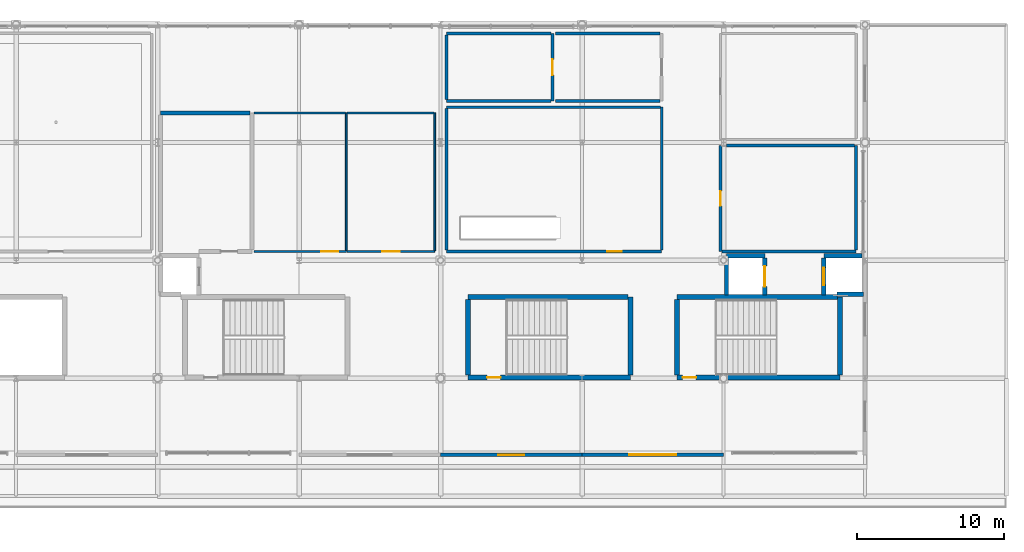
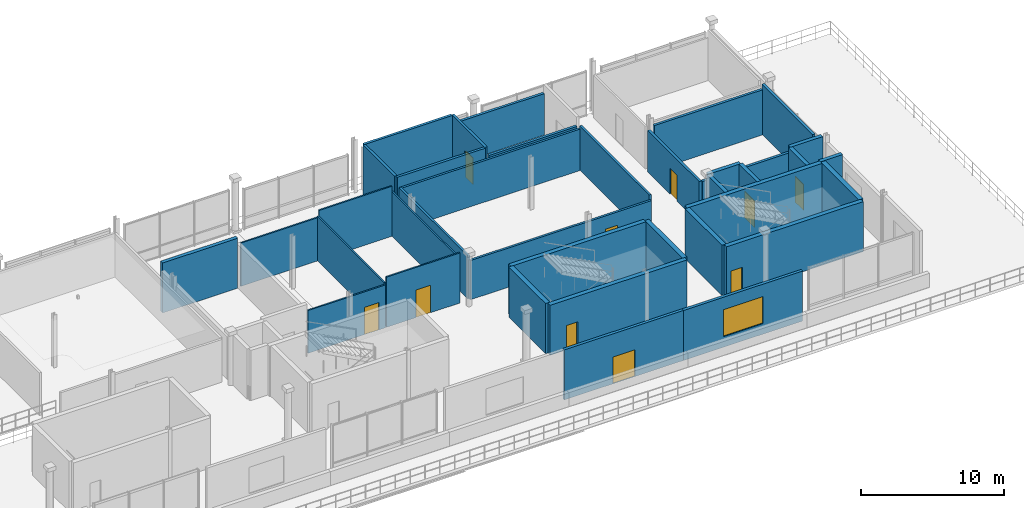
# One storey, part 17 of 26: 37 walls, 10 doors, 1 window, 11 openings.
"""IFC4 building model written with IfcOpenShell, lengths in metres."""

import ifcopenshell
import ifcopenshell.guid

model = None  # the IFC model being written
_history = None  # IfcOwnerHistory: only IFC2X3 demands one
_inside = {}  # id of a spatial element -> (the spatial element, [elements in it])
_under = {}  # id of a project, library or spatial element -> (it, [spatial elements below it])
_declared = {}  # id of a project -> (the project, [libraries it declares])
_typed = {}  # id of a type object -> (the type object, [elements of that type])
_made_of = {}  # id of a material, layer set ... -> (it, [elements and type objects made of it])


def new_model(schema):
    """Start an empty IFC model of exactly this schema.

    Asked for "IFC4X3", IfcOpenShell would pick the latest addendum, in which some entities
    have other attributes; the version numbers below select the first issue.
    IFC2X3 requires an IfcOwnerHistory on every rooted entity: one is made here for all.
    """
    global model, _history
    if schema == "IFC4X3":
        model = ifcopenshell.file(schema_version=(4, 3, 0, 0))
    else:
        model = ifcopenshell.file(schema=schema)
    _inside.clear()
    _under.clear()
    _declared.clear()
    _typed.clear()
    _made_of.clear()
    _history = None
    if model.schema == "IFC2X3":
        org = make("IfcOrganization", Name="unknown")
        user = make(
            "IfcPersonAndOrganization",
            ThePerson=make("IfcPerson", FamilyName="unknown"),
            TheOrganization=org,
        )
        app = make(
            "IfcApplication",
            ApplicationDeveloper=org,
            Version="unknown",
            ApplicationFullName="unknown",
            ApplicationIdentifier="unknown",
        )
        _history = make(
            "IfcOwnerHistory",
            OwningUser=user,
            OwningApplication=app,
            ChangeAction="ADDED",
            CreationDate=0,
        )
    return model


def make(cls, **values):
    """One entity of the class cls with the attributes given. An attribute that is None is left unset."""
    return model.create_entity(
        cls, **{name: value for name, value in values.items() if value is not None}
    )


def rooted(cls, **values):
    """An entity with a GlobalId (a new one), such as an element, a storey or a relation."""
    return make(cls, GlobalId=ifcopenshell.guid.new(), OwnerHistory=_history, **values)


def si_unit(unit_type, name, prefix=None):
    """IfcSIUnit, for example si_unit("LENGTHUNIT", "METRE", prefix="MILLI")."""
    return make("IfcSIUnit", UnitType=unit_type, Prefix=prefix, Name=name)


def assignment(units):
    """IfcUnitAssignment: the units of a project."""
    return None if units is None else make("IfcUnitAssignment", Units=units)


def point(xyz):
    """IfcCartesianPoint."""
    return None if xyz is None else make("IfcCartesianPoint", Coordinates=xyz)


def direction(xyz):
    """IfcDirection."""
    return None if xyz is None else make("IfcDirection", DirectionRatios=xyz)


def frame(location, z_axis=None, x_axis=None):
    """IfcAxis2Placement3D, a coordinate frame: its origin and axes. An axis left out is left unset."""
    return make(
        "IfcAxis2Placement3D",
        Location=point(location),
        Axis=direction(z_axis),
        RefDirection=direction(x_axis),
    )


def frame_2d(location, x_axis=None):
    """IfcAxis2Placement2D, a coordinate frame in the plane: its origin and x axis."""
    return make(
        "IfcAxis2Placement2D", Location=point(location), RefDirection=direction(x_axis)
    )


def origin():
    """The frame at (0, 0, 0) with its axes left unset."""
    return frame((0.0, 0.0, 0.0))


def place(relative_to, where):
    """IfcLocalPlacement: puts the frame where relative to a parent placement (None: the world)."""
    return make(
        "IfcLocalPlacement", PlacementRelTo=relative_to, RelativePlacement=where
    )


def context(
    kind, dimensions, precision=None, world=None, true_north=None, identifier=None
):
    """IfcGeometricRepresentationContext, for example the 3D "Model" context."""
    return make(
        "IfcGeometricRepresentationContext",
        ContextIdentifier=identifier,
        ContextType=kind,
        CoordinateSpaceDimension=dimensions,
        Precision=precision,
        WorldCoordinateSystem=world,
        TrueNorth=true_north,
    )


def subcontext(parent, identifier, kind, view, scale=None):
    """IfcGeometricRepresentationSubContext, for example "Body" below "Model"."""
    return make(
        "IfcGeometricRepresentationSubContext",
        ContextIdentifier=identifier,
        ContextType=kind,
        ParentContext=parent,
        TargetScale=scale,
        TargetView=view,
    )


def project(units=None, contexts=None):
    """IfcProject with its units and contexts."""
    return rooted(
        "IfcProject",
        Name="project",
        RepresentationContexts=contexts,
        UnitsInContext=assignment(units),
    )


def spatial(cls, under=None, at=None, **own):
    """A site, building, storey or space (cls), placed at a placement, below another one or the project."""
    s = rooted(cls, ObjectPlacement=at, **own)
    if under is not None:
        _under.setdefault(under.id(), (under, []))[1].append(s)
    return s


def profile(cls, at=None, kind="AREA", **sizes):
    """A parametric profile (cls). Its sizes go by their IFC names, for example OverallWidth=200.0."""
    return make(cls, ProfileType=kind, Position=at, **sizes)


def rectangle(**sizes):
    """IfcRectangleProfileDef."""
    return profile("IfcRectangleProfileDef", **sizes)


def extrude(swept, where, along, depth):
    """IfcExtrudedAreaSolid: the profile swept, set in the frame where, extruded along a direction by depth."""
    return make(
        "IfcExtrudedAreaSolid",
        SweptArea=swept,
        Position=where,
        ExtrudedDirection=direction(along),
        Depth=depth,
    )


def shape(context_of_items, identifier, shape_type, items):
    """IfcShapeRepresentation: the items that make up one representation, for example the "Body"."""
    return make(
        "IfcShapeRepresentation",
        ContextOfItems=context_of_items,
        RepresentationIdentifier=identifier,
        RepresentationType=shape_type,
        Items=items,
    )


def material(Name=None, Category=None):
    """IfcMaterial."""
    return make("IfcMaterial", Name=Name, Category=Category)


def layer(
    of_material, thickness, ventilated=None, Name=None, Category=None, Priority=None
):
    """IfcMaterialLayer: one layer of a wall or slab, of a material (None: an air gap)."""
    return make(
        "IfcMaterialLayer",
        Material=of_material,
        LayerThickness=thickness,
        IsVentilated=ventilated,
        Name=Name,
        Category=Category,
        Priority=Priority,
    )


def layer_set(layers, Name=None):
    """IfcMaterialLayerSet."""
    return make("IfcMaterialLayerSet", MaterialLayers=layers, LayerSetName=Name)


def made_of(thing, what):
    """Note that an element or type object is made of a material, layer set ...; save() writes the relation."""
    if what is not None:
        _made_of.setdefault(what.id(), (what, []))[1].append(thing)
    return thing


def type_object(cls, material=None, **own):
    """A type object (cls), such as IfcWallType, which elements share."""
    return made_of(rooted(cls, **own), material)


def element(
    cls,
    number,
    at=None,
    inside=None,
    cuts=None,
    type_object=None,
    material=None,
    context=None,
    identifier="Body",
    shape_type=None,
    held_by="IfcProductDefinitionShape",
    body=None,
    shapes=None,
    **own,
):
    """One element of the class cls, such as IfcWall. Its Tag is "e" and its number.

    at: its placement. inside: the storey or other place that contains it. cuts: it is an
    opening in that element (IfcRelVoidsElement). A single representation is given by context,
    identifier, shape_type and body (its items); several are given by shapes. held_by: the class
    of the entity that holds the representations. save() writes the other relations.
    """
    e = rooted(cls, Tag="e%d" % number, ObjectPlacement=at, **own)
    if body is not None:
        shapes = [shape(context, identifier, shape_type, body)]
    if shapes is not None:
        e.Representation = make(held_by, Representations=shapes)
    if inside is not None:
        _inside.setdefault(inside.id(), (inside, []))[1].append(e)
    if cuts is not None:
        rooted(
            "IfcRelVoidsElement", RelatingBuildingElement=cuts, RelatedOpeningElement=e
        )
    if type_object is not None:
        _typed.setdefault(type_object.id(), (type_object, []))[1].append(e)
    return made_of(e, material)


def fill(opening, filler):
    """IfcRelFillsElement: the door or window that sits in an opening."""
    return rooted(
        "IfcRelFillsElement",
        RelatingOpeningElement=opening,
        RelatedBuildingElement=filler,
    )


def aggregate(whole, parts):
    """IfcRelAggregates: a whole, such as a stair, and the parts it consists of."""
    return rooted("IfcRelAggregates", RelatingObject=whole, RelatedObjects=parts)


def save(model, path):
    """Write the relations noted so far, then the file.

    IfcRelAggregates (storeys below a building ...), IfcRelContainedInSpatialStructure (elements
    in a storey), IfcRelDefinesByType, IfcRelAssociatesMaterial and IfcRelDeclares: one each for
    every whole, place, type object, material and project.
    """
    for whole, parts in _under.values():
        aggregate(whole, parts)
    for where, things in _inside.values():
        rooted(
            "IfcRelContainedInSpatialStructure",
            RelatedElements=things,
            RelatingStructure=where,
        )
    for kind, things in _typed.values():
        rooted("IfcRelDefinesByType", RelatedObjects=things, RelatingType=kind)
    for what, things in _made_of.values():
        rooted("IfcRelAssociatesMaterial", RelatedObjects=things, RelatingMaterial=what)
    for by, libraries in _declared.values():
        rooted("IfcRelDeclares", RelatingContext=by, RelatedDefinitions=libraries)
    model.write(path)


model = new_model("IFC4")

# Units and contexts
model_context = context("Model", 3, precision=1e-05, world=origin(), true_north=direction((0.0, 1.0)))
body_context = subcontext(model_context, "Body", "Model", "MODEL_VIEW")
ifc_project = project(units=[si_unit("LENGTHUNIT", "METRE"), si_unit("AREAUNIT", "SQUARE_METRE"), si_unit("VOLUMEUNIT", "CUBIC_METRE"), si_unit("PLANEANGLEUNIT", "RADIAN"), si_unit("MASSUNIT", "GRAM", prefix="KILO")], contexts=[model_context])

# Site, building, storey
site_placement = place(None, origin())
site = spatial("IfcSite", under=ifc_project, at=site_placement, CompositionType="ELEMENT")
building_placement = place(site_placement, origin())
building = spatial("IfcBuilding", under=site, at=building_placement, Name="Danafjord Basin Convention Centre", CompositionType="ELEMENT")
storey_placement = place(building_placement, frame((0.0, 0.0, 24.89990234375)))
storey = spatial("IfcBuildingStorey", under=building, at=storey_placement, Name="L05", CompositionType="ELEMENT", Elevation=24.89990234375)

# Wall
ifc_material_1 = material(Name="Concrete C40/50", Category="concrete")
ifc_layer_1 = layer(ifc_material_1, 0.300048828125)
ifc_layer_set_1 = layer_set([ifc_layer_1], Name="Concrete C40/50")
wall_type_1 = type_object("IfcWallType", Name="WALL-CW-CORE300", PredefinedType="SHEAR", material=ifc_layer_set_1)
wall_1_placement = place(storey_placement, frame((89.199951171875, 24.300048828125, 0.0), z_axis=(0.0, 0.0, 1.0), x_axis=(-1.0, 0.0, 0.0)))
element("IfcWall", 1, at=wall_1_placement, inside=storey, type_object=wall_type_1, Name="Lift LF-FF02 shaft shear wall", PredefinedType="SHEAR", context=body_context, shape_type="SweptSolid", body=[
    extrude(rectangle(XDim=2.599853515625, YDim=0.300048828125, at=frame_2d((1.2998046875, 0.0))), origin(), (0.0, 0.0, 1.0), 4.27001953125),
])

# Wall, opening, door
wall_2_placement = place(storey_placement, frame((89.199951171875, 21.6650390625, 0.0), z_axis=(0.0, 0.0, 1.0), x_axis=(0.0, 1.0, 0.0)))
wall_2 = element("IfcWall", 2, at=wall_2_placement, inside=storey, type_object=wall_type_1, Name="Lift LF-FF02 shaft shear wall", PredefinedType="SHEAR", context=body_context, shape_type="SweptSolid", body=[
    extrude(rectangle(XDim=2.5, YDim=0.300048828125, at=frame_2d((1.25, 0.0))), origin(), (0.0, 0.0, 1.0), 4.27001953125),
])
opening_1_placement = place(wall_2_placement, frame((0.550048828125, 0.0, 0.0)))
opening_1 = element("IfcOpeningElement", 3, at=opening_1_placement, cuts=wall_2, Name="Opening LD-F01", PredefinedType="OPENING", context=body_context, shape_type="SweptSolid", body=[
    extrude(rectangle(XDim=1.39990234375, YDim=2.260009765625, at=frame_2d((0.699951171875, 1.1298828125))), frame((0.0, 0.159912109375, 0.0), z_axis=(0.0, -1.0, 0.0), x_axis=(1.0, 0.0, 0.0)), (0.0, 0.0, 1.0), 0.320068359375),
])
ifc_material_2 = material(Name="Brushed stainless steel and acoustic laminated glass", Category="steel")
door_type_1 = type_object("IfcDoorType", Name="DOOR-LD-F01", OperationType="DOUBLE_DOOR_SLIDING", PredefinedType="DOOR", material=ifc_material_2)
door_1_placement = place(opening_1_placement, origin())
door_1 = element("IfcDoor", 4, at=door_1_placement, inside=storey, type_object=door_type_1, Name="Lift LF-FF02 L05 Landing Door", OperationType="DOUBLE_DOOR_SLIDING", OverallHeight=2.260009765625, OverallWidth=1.39990234375, PredefinedType="DOOR", context=body_context, shape_type="SweptSolid", body=[
    extrude(rectangle(XDim=1.39990234375, YDim=2.260009765625, at=frame_2d((0.699951171875, 1.1298828125))), frame((0.0, 0.02490234375, 0.0), z_axis=(0.0, -1.0, 0.0), x_axis=(1.0, 0.0, 0.0)), (0.0, 0.0, 1.0), 0.050048828125),
])
fill(opening_1, door_1)

# Walls
wall_3_placement = place(storey_placement, frame((86.60009765625, 24.1650390625, 0.0), z_axis=(0.0, 0.0, 1.0), x_axis=(0.0, -1.0, 0.0)))
element("IfcWall", 5, at=wall_3_placement, inside=storey, type_object=wall_type_1, Name="Lift LF-FF02 shaft shear wall", PredefinedType="SHEAR", context=body_context, shape_type="SweptSolid", body=[
    extrude(rectangle(XDim=2.5, YDim=0.300048828125, at=frame_2d((1.25, 0.0))), origin(), (0.0, 0.0, 1.0), 4.27001953125),
])
wall_4_placement = place(storey_placement, frame((95.800048828125, 24.300048828125, 0.0), z_axis=(0.0, 0.0, 1.0), x_axis=(-1.0, 0.0, 0.0)))
element("IfcWall", 6, at=wall_4_placement, inside=storey, type_object=wall_type_1, Name="Lift LF-P02 shaft shear wall", PredefinedType="SHEAR", context=body_context, shape_type="SweptSolid", body=[
    extrude(rectangle(XDim=2.60009765625, YDim=0.300048828125, at=frame_2d((1.300048828125, 0.0))), origin(), (0.0, 0.0, 1.0), 4.260009765625),
])
wall_5_placement = place(storey_placement, frame((94.110107421875, 21.699951171875, 0.0), z_axis=(0.0, 0.0, 1.0), x_axis=(1.0, 0.0, 0.0)))
element("IfcWall", 7, at=wall_5_placement, inside=storey, type_object=wall_type_1, Name="Lift LF-P02 shaft shear wall", PredefinedType="SHEAR", context=body_context, shape_type="SweptSolid", body=[
    extrude(rectangle(XDim=1.77978515625, YDim=0.300048828125, at=frame_2d((0.889892578125, 0.0))), origin(), (0.0, 0.0, 1.0), 4.27001953125),
])

# Wall, opening, door
wall_6_placement = place(storey_placement, frame((93.199951171875, 24.1650390625, 0.0), z_axis=(0.0, 0.0, 1.0), x_axis=(0.0, -1.0, 0.0)))
wall_6 = element("IfcWall", 8, at=wall_6_placement, inside=storey, type_object=wall_type_1, Name="Lift LF-P02 shaft shear wall", PredefinedType="SHEAR", context=body_context, shape_type="SweptSolid", body=[
    extrude(rectangle(XDim=2.5, YDim=0.300048828125, at=frame_2d((1.25, 0.0))), origin(), (0.0, 0.0, 1.0), 4.260009765625),
])
opening_2_placement = place(wall_6_placement, frame((0.64990234375, 0.0, 0.0)))
opening_2 = element("IfcOpeningElement", 9, at=opening_2_placement, cuts=wall_6, Name="Opening LD-P01", PredefinedType="OPENING", context=body_context, shape_type="SweptSolid", body=[
    extrude(rectangle(XDim=1.199951171875, YDim=2.199951171875, at=frame_2d((0.60009765625, 1.10009765625))), frame((0.0, 0.159912109375, 0.0), z_axis=(0.0, -1.0, 0.0), x_axis=(1.0, 0.0, 0.0)), (0.0, 0.0, 1.0), 0.320068359375),
])
door_type_2 = type_object("IfcDoorType", Name="DOOR-LD-P01", OperationType="DOUBLE_DOOR_SLIDING", PredefinedType="DOOR", material=ifc_material_2)
door_2_placement = place(opening_2_placement, origin())
door_2 = element("IfcDoor", 10, at=door_2_placement, inside=storey, type_object=door_type_2, Name="Lift LF-P02 L05 Landing Door", OperationType="DOUBLE_DOOR_SLIDING", OverallHeight=2.199951171875, OverallWidth=1.199951171875, PredefinedType="DOOR", context=body_context, shape_type="SweptSolid", body=[
    extrude(rectangle(XDim=1.199951171875, YDim=2.199951171875, at=frame_2d((0.60009765625, 1.10009765625))), frame((0.0, 0.02490234375, 0.0), z_axis=(0.0, -1.0, 0.0), x_axis=(1.0, 0.0, 0.0)), (0.0, 0.0, 1.0), 0.050048828125),
])
fill(opening_2, door_2)

ifc_material_3 = material(Name="Concrete C45/55", Category="concrete")
ifc_layer_2 = layer(ifc_material_3, 0.35009765625)
ifc_layer_set_2 = layer_set([ifc_layer_2], Name="Concrete C45/55")
wall_type_2 = type_object("IfcWallType", Name="WALL-CW-CORE350", PredefinedType="SHEAR", material=ifc_layer_set_2)
wall_7_placement = place(storey_placement, frame((83.25, 16.050048828125, 0.0), z_axis=(0.0, 0.0, 1.0), x_axis=(1.0, 0.0, 0.0)))
wall_7 = element("IfcWall", 11, at=wall_7_placement, inside=storey, type_object=wall_type_2, Name="Central Harbour Core Stair 1 core shear wall (south)", PredefinedType="SHEAR", context=body_context, shape_type="SweptSolid", body=[
    extrude(rectangle(XDim=11.0400390625, YDim=0.35009765625, at=frame_2d((5.52001953125, 0.0))), origin(), (0.0, 0.0, 1.0), 4.27001953125),
])
opening_3_placement = place(wall_7_placement, frame((0.3798828125, 0.0, 0.0)))
opening_3 = element("IfcOpeningElement", 12, at=opening_3_placement, cuts=wall_7, Name="Opening FD-S01", PredefinedType="OPENING", context=body_context, shape_type="SweptSolid", body=[
    extrude(rectangle(XDim=0.909912109375, YDim=2.080078125, at=frame_2d((0.455078125, 1.0400390625))), frame((0.0, 0.18505859375, 0.0), z_axis=(0.0, -1.0, 0.0), x_axis=(1.0, 0.0, 0.0)), (0.0, 0.0, 1.0), 0.3701171875),
])
ifc_material_4 = material(Name="Powder-coated steel and Nordic oak", Category="steel")
door_type_3 = type_object("IfcDoorType", Name="DOOR-FD-S01", OperationType="NOTDEFINED", PredefinedType="DOOR", material=ifc_material_4)
door_3_placement = place(opening_3_placement, origin())
door_3 = element("IfcDoor", 13, at=door_3_placement, inside=storey, type_object=door_type_3, Name="Central Harbour Core Stair 1 L05 Fire Exit Door", OperationType="SINGLE_SWING_LEFT", OverallHeight=2.080078125, OverallWidth=0.909912109375, PredefinedType="DOOR", context=body_context, shape_type="SweptSolid", body=[
    extrude(rectangle(XDim=0.909912109375, YDim=2.080078125, at=frame_2d((0.455078125, 1.0400390625))), frame((0.0, 0.02490234375, 0.0), z_axis=(0.0, -1.0, 0.0), x_axis=(1.0, 0.0, 0.0)), (0.0, 0.0, 1.0), 0.050048828125),
])
fill(opening_3, door_3)

# Walls
wall_8_placement = place(storey_placement, frame((94.2900390625, 16.2099609375, 0.0), z_axis=(0.0, 0.0, 1.0), x_axis=(0.0, 1.0, 0.0)))
element("IfcWall", 14, at=wall_8_placement, inside=storey, type_object=wall_type_2, Name="Central Harbour Core Stair 1 core shear wall (east)", PredefinedType="SHEAR", context=body_context, shape_type="SweptSolid", body=[
    extrude(rectangle(XDim=5.300048828125, YDim=0.35009765625, at=frame_2d((2.64990234375, 0.0))), origin(), (0.0, 0.0, 1.0), 4.27001953125),
])
wall_9_placement = place(storey_placement, frame((94.1298828125, 21.510009765625, 0.0), z_axis=(0.0, 0.0, 1.0), x_axis=(-1.0, 0.0, 0.0)))
element("IfcWall", 15, at=wall_9_placement, inside=storey, type_object=wall_type_2, Name="Central Harbour Core Stair 1 core shear wall (north)", PredefinedType="SHEAR", context=body_context, shape_type="SweptSolid", body=[
    extrude(rectangle(XDim=10.8798828125, YDim=0.35009765625, at=frame_2d((5.43994140625, 0.0))), origin(), (0.0, 0.0, 1.0), 4.27001953125),
])
wall_10_placement = place(storey_placement, frame((83.25, 21.35009765625, 0.0), z_axis=(0.0, 0.0, 1.0), x_axis=(0.0, -1.0, 0.0)))
element("IfcWall", 16, at=wall_10_placement, inside=storey, type_object=wall_type_2, Name="Central Harbour Core Stair 1 core shear wall (west)", PredefinedType="SHEAR", context=body_context, shape_type="SweptSolid", body=[
    extrude(rectangle(XDim=5.14013671875, YDim=0.35009765625, at=frame_2d((2.570068359375, 0.0))), origin(), (0.0, 0.0, 1.0), 4.27001953125),
])

# Wall, opening, door
wall_11_placement = place(storey_placement, frame((69.050048828125, 16.050048828125, 0.0), z_axis=(0.0, 0.0, 1.0), x_axis=(1.0, 0.0, 0.0)))
wall_11 = element("IfcWall", 17, at=wall_11_placement, inside=storey, type_object=wall_type_2, Name="Mid-Arc Escape Stair 2 core shear wall (south)", PredefinedType="SHEAR", context=body_context, shape_type="SweptSolid", body=[
    extrude(rectangle(XDim=11.0400390625, YDim=0.35009765625, at=frame_2d((5.52001953125, 0.0))), origin(), (0.0, 0.0, 1.0), 4.27001953125),
])
opening_4_placement = place(wall_11_placement, frame((1.31201171875, 0.0, 0.0)))
opening_4 = element("IfcOpeningElement", 18, at=opening_4_placement, cuts=wall_11, Name="Opening FD-S01", PredefinedType="OPENING", context=body_context, shape_type="SweptSolid", body=[
    extrude(rectangle(XDim=0.909912109375, YDim=2.080078125, at=frame_2d((0.455078125, 1.0400390625))), frame((0.0, 0.18505859375, 0.0), z_axis=(0.0, -1.0, 0.0), x_axis=(1.0, 0.0, 0.0)), (0.0, 0.0, 1.0), 0.3701171875),
])
door_4_placement = place(opening_4_placement, origin())
door_4 = element("IfcDoor", 19, at=door_4_placement, inside=storey, type_object=door_type_3, Name="Mid-Arc Escape Stair 2 L05 Fire Exit Door", OperationType="SINGLE_SWING_RIGHT", OverallHeight=2.080078125, OverallWidth=0.909912109375, PredefinedType="DOOR", context=body_context, shape_type="SweptSolid", body=[
    extrude(rectangle(XDim=0.909912109375, YDim=2.080078125, at=frame_2d((0.455078125, 1.0400390625))), frame((0.0, 0.02490234375, 0.0), z_axis=(0.0, -1.0, 0.0), x_axis=(1.0, 0.0, 0.0)), (0.0, 0.0, 1.0), 0.050048828125),
])
fill(opening_4, door_4)

# Walls
wall_12_placement = place(storey_placement, frame((80.090087890625, 16.2099609375, 0.0), z_axis=(0.0, 0.0, 1.0), x_axis=(0.0, 1.0, 0.0)))
element("IfcWall", 20, at=wall_12_placement, inside=storey, type_object=wall_type_2, Name="Mid-Arc Escape Stair 2 core shear wall (east)", PredefinedType="SHEAR", context=body_context, shape_type="SweptSolid", body=[
    extrude(rectangle(XDim=5.300048828125, YDim=0.35009765625, at=frame_2d((2.64990234375, 0.0))), origin(), (0.0, 0.0, 1.0), 4.27001953125),
])
wall_13_placement = place(storey_placement, frame((79.929931640625, 21.510009765625, 0.0), z_axis=(0.0, 0.0, 1.0), x_axis=(-1.0, 0.0, 0.0)))
element("IfcWall", 21, at=wall_13_placement, inside=storey, type_object=wall_type_2, Name="Mid-Arc Escape Stair 2 core shear wall (north)", PredefinedType="SHEAR", context=body_context, shape_type="SweptSolid", body=[
    extrude(rectangle(XDim=10.8798828125, YDim=0.35009765625, at=frame_2d((5.43994140625, 0.0))), origin(), (0.0, 0.0, 1.0), 4.27001953125),
])
wall_14_placement = place(storey_placement, frame((69.050048828125, 21.35009765625, 0.0), z_axis=(0.0, 0.0, 1.0), x_axis=(0.0, -1.0, 0.0)))
element("IfcWall", 22, at=wall_14_placement, inside=storey, type_object=wall_type_2, Name="Mid-Arc Escape Stair 2 core shear wall (west)", PredefinedType="SHEAR", context=body_context, shape_type="SweptSolid", body=[
    extrude(rectangle(XDim=5.14013671875, YDim=0.35009765625, at=frame_2d((2.570068359375, 0.0))), origin(), (0.0, 0.0, 1.0), 4.27001953125),
])

# Wall, opening, door
ifc_material_5 = material(Name="Concrete C35/45", Category="concrete")
ifc_layer_3 = layer(ifc_material_5, 0.22998046875)
ifc_layer_set_3 = layer_set([ifc_layer_3], Name="Concrete C35/45")
wall_type_3 = type_object("IfcWallType", Name="WALL-EW-STD230", PredefinedType="STANDARD", material=ifc_layer_set_3)
wall_15_placement = place(storey_placement, frame((67.199951171875, 10.800048828125, 0.0), z_axis=(0.0, 0.0, 1.0), x_axis=(1.0, 0.0, 0.0)))
wall_15 = element("IfcWall", 23, at=wall_15_placement, inside=storey, type_object=wall_type_3, Name="L05 harbourfront precast facade bay 7", PredefinedType="STANDARD", context=body_context, shape_type="SweptSolid", body=[
    extrude(rectangle(XDim=9.60009765625, YDim=0.22998046875, at=frame_2d((4.800048828125, 0.0))), origin(), (0.0, 0.0, 1.0), 4.260009765625),
])
opening_5_placement = place(wall_15_placement, frame((3.919921875, 0.0, 0.0)))
opening_5 = element("IfcOpeningElement", 24, at=opening_5_placement, cuts=wall_15, Name="Opening ED-04", PredefinedType="OPENING", context=body_context, shape_type="SweptSolid", body=[
    extrude(rectangle(XDim=1.760009765625, YDim=2.280029296875, at=frame_2d((0.8798828125, 1.14013671875))), frame((0.0, 0.125, 0.0), z_axis=(0.0, -1.0, 0.0), x_axis=(1.0, 0.0, 0.0)), (0.0, 0.0, 1.0), 0.25),
])
ifc_material_6 = material(Name="Thermally broken anodised aluminium and steel", Category="steel")
door_type_4 = type_object("IfcDoorType", Name="DOOR-ED-04", OperationType="DOUBLE_DOOR_SINGLE_SWING", PredefinedType="DOOR", material=ifc_material_6)
door_5_placement = place(opening_5_placement, origin())
door_5 = element("IfcDoor", 25, at=door_5_placement, inside=storey, type_object=door_type_4, Name="L05 Harbour Terrace Access Door", OperationType="DOUBLE_DOOR_SINGLE_SWING", OverallHeight=2.280029296875, OverallWidth=1.760009765625, PredefinedType="DOOR", context=body_context, shape_type="SweptSolid", body=[
    extrude(rectangle(XDim=1.760009765625, YDim=2.280029296875, at=frame_2d((0.8798828125, 1.14013671875))), frame((0.0, 0.02490234375, 0.0), z_axis=(0.0, -1.0, 0.0), x_axis=(1.0, 0.0, 0.0)), (0.0, 0.0, 1.0), 0.050048828125),
])
fill(opening_5, door_5)

# Wall, opening, window
wall_16_placement = place(storey_placement, frame((76.800048828125, 10.800048828125, 0.0), z_axis=(0.0, 0.0, 1.0), x_axis=(1.0, 0.0, 0.0)))
wall_16 = element("IfcWall", 26, at=wall_16_placement, inside=storey, type_object=wall_type_3, Name="L05 harbourfront precast facade bay 8", PredefinedType="STANDARD", context=body_context, shape_type="SweptSolid", body=[
    extrude(rectangle(XDim=9.599853515625, YDim=0.22998046875, at=frame_2d((4.7998046875, 0.0))), origin(), (0.0, 0.0, 1.0), 4.260009765625),
])
opening_6_placement = place(wall_16_placement, frame((3.199951171875, 0.0, 0.89990234375)))
opening_6 = element("IfcOpeningElement", 27, at=opening_6_placement, cuts=wall_16, Name="Opening WN-11", PredefinedType="OPENING", context=body_context, shape_type="SweptSolid", body=[
    extrude(rectangle(XDim=3.199951171875, YDim=2.300048828125, at=frame_2d((1.60009765625, 1.14990234375))), frame((0.0, 0.125, 0.0), z_axis=(0.0, -1.0, 0.0), x_axis=(1.0, 0.0, 0.0)), (0.0, 0.0, 1.0), 0.25),
])
ifc_material_7 = material(Name="Thermally broken aluminium and triple low-E glass", Category="aluminium")
window_type = type_object("IfcWindowType", Name="WIN-WN-11", PartitioningType="SINGLE_PANEL", PredefinedType="WINDOW", material=ifc_material_7)
window_placement = place(opening_6_placement, origin())
window = element("IfcWindow", 28, at=window_placement, inside=storey, type_object=window_type, Name="L05 harbour window WN-11", OverallHeight=2.300048828125, OverallWidth=3.199951171875, PartitioningType="SINGLE_PANEL", PredefinedType="WINDOW", context=body_context, shape_type="SweptSolid", body=[
    extrude(rectangle(XDim=3.199951171875, YDim=2.300048828125, at=frame_2d((1.60009765625, 1.14990234375))), frame((0.0, 0.030029296875, 0.0), z_axis=(0.0, -1.0, 0.0), x_axis=(1.0, 0.0, 0.0)), (0.0, 0.0, 1.0), 0.06005859375),
])
fill(opening_6, window)

# Wall, opening, door
ifc_material_8 = material(Name="Acoustic double-board gypsum stud partition")
ifc_layer_4 = layer(ifc_material_8, 0.175048828125)
ifc_layer_set_4 = layer_set([ifc_layer_4], Name="Acoustic double-board gypsum stud partition")
wall_type_4 = type_object("IfcWallType", Name="WALL-PT-AC175", PredefinedType="PARTITIONING", material=ifc_layer_set_4)
wall_17_placement = place(storey_placement, frame((67.60009765625, 24.60009765625, 0.0), z_axis=(0.0, 0.0, 1.0), x_axis=(1.0, 0.0, 0.0)))
wall_17 = element("IfcWall", 29, at=wall_17_placement, inside=storey, type_object=wall_type_4, Name="Civic Sky Banquet Dining Room south partition", PredefinedType="PARTITIONING", context=body_context, shape_type="SweptSolid", body=[
    extrude(rectangle(XDim=14.599853515625, YDim=0.175048828125, at=frame_2d((7.2998046875, 0.0))), origin(), (0.0, 0.0, 1.0), 3.340087890625),
])
opening_7_placement = place(wall_17_placement, frame((10.89599609375, 0.0, 0.0)))
opening_7 = element("IfcOpeningElement", 30, at=opening_7_placement, cuts=wall_17, Name="Opening FD-S11", PredefinedType="OPENING", context=body_context, shape_type="SweptSolid", body=[
    extrude(rectangle(XDim=0.97998046875, YDim=2.199951171875, at=frame_2d((0.489990234375, 1.10009765625))), frame((0.0, 0.097412109375, 0.0), z_axis=(0.0, -1.0, 0.0), x_axis=(1.0, 0.0, 0.0)), (0.0, 0.0, 1.0), 0.195068359375),
])
door_type_5 = type_object("IfcDoorType", Name="DOOR-FD-S11", OperationType="NOTDEFINED", PredefinedType="DOOR", material=ifc_material_4)
door_6_placement = place(opening_7_placement, origin())
door_6 = element("IfcDoor", 31, at=door_6_placement, inside=storey, type_object=door_type_5, Name="Civic Sky Banquet Dining Room Entrance Door", OperationType="SINGLE_SWING_RIGHT", OverallHeight=2.199951171875, OverallWidth=0.97998046875, PredefinedType="DOOR", context=body_context, shape_type="SweptSolid", body=[
    extrude(rectangle(XDim=0.97998046875, YDim=2.199951171875, at=frame_2d((0.489990234375, 1.10009765625))), frame((0.0, 0.02490234375, 0.0), z_axis=(0.0, -1.0, 0.0), x_axis=(1.0, 0.0, 0.0)), (0.0, 0.0, 1.0), 0.050048828125),
])
fill(opening_7, door_6)

# Walls
wall_18_placement = place(storey_placement, frame((82.199951171875, 24.69140625, 0.0), z_axis=(0.0, 0.0, 1.0), x_axis=(0.0, 1.0, 0.0)))
element("IfcWall", 32, at=wall_18_placement, inside=storey, type_object=wall_type_4, Name="Civic Sky Banquet Dining Room east partition", PredefinedType="PARTITIONING", context=body_context, shape_type="SweptSolid", body=[
    extrude(rectangle(XDim=9.70849609375, YDim=0.175048828125, at=frame_2d((4.854248046875, 0.0))), origin(), (0.0, 0.0, 1.0), 3.739990234375),
])
wall_19_placement = place(storey_placement, frame((82.1083984375, 34.39990234375, 0.0), z_axis=(0.0, 0.0, 1.0), x_axis=(-1.0, 0.0, 0.0)))
element("IfcWall", 33, at=wall_19_placement, inside=storey, type_object=wall_type_4, Name="Civic Sky Banquet Dining Room north partition", PredefinedType="PARTITIONING", context=body_context, shape_type="SweptSolid", body=[
    extrude(rectangle(XDim=14.50830078125, YDim=0.175048828125, at=frame_2d((7.254150390625, 0.0))), origin(), (0.0, 0.0, 1.0), 3.530029296875),
])
wall_20_placement = place(storey_placement, frame((67.60009765625, 34.30859375, 0.0), z_axis=(0.0, 0.0, 1.0), x_axis=(0.0, -1.0, 0.0)))
element("IfcWall", 34, at=wall_20_placement, inside=storey, type_object=wall_type_4, Name="Civic Sky Banquet Dining Room west partition", PredefinedType="PARTITIONING", context=body_context, shape_type="SweptSolid", body=[
    extrude(rectangle(XDim=9.6171875, YDim=0.175048828125, at=frame_2d((4.80859375, 0.0))), origin(), (0.0, 0.0, 1.0), 3.64013671875),
])
ifc_material_9 = material(Name="Sanitary service-chase stud wall")
ifc_layer_5 = layer(ifc_material_9, 0.284912109375)
ifc_layer_set_5 = layer_set([ifc_layer_5], Name="Sanitary service-chase stud wall")
wall_type_5 = type_object("IfcWallType", Name="WALL-PT-PLB285", PredefinedType="PLUMBINGWALL", material=ifc_layer_set_5)
wall_21_placement = place(storey_placement, frame((54.25341796875, 34.0, 0.0), z_axis=(0.0, 0.0, 1.0), x_axis=(-1.0, 0.0, 0.0)))
element("IfcWall", 35, at=wall_21_placement, inside=storey, type_object=wall_type_5, Name="Level 5 Sky Male Toilet north partition", PredefinedType="PLUMBINGWALL", context=body_context, shape_type="SweptSolid", body=[
    extrude(rectangle(XDim=6.053466796875, YDim=0.284912109375, at=frame_2d((3.02685546875, 0.0))), origin(), (0.0, 0.0, 1.0), 4.260009765625),
])

# Wall, opening, door
ifc_material_10 = material(Name="Moisture-resistant gypsum stud partition")
ifc_layer_6 = layer(ifc_material_10, 0.1201171875)
ifc_layer_set_6 = layer_set([ifc_layer_6], Name="Moisture-resistant gypsum stud partition")
wall_type_6 = type_object("IfcWallType", Name="WALL-PT-ST120", PredefinedType="PARTITIONING", material=ifc_layer_set_6)
wall_22_placement = place(storey_placement, frame((54.54638671875, 24.60009765625, 0.0), z_axis=(0.0, 0.0, 1.0), x_axis=(1.0, 0.0, 0.0)))
wall_22 = element("IfcWall", 36, at=wall_22_placement, inside=storey, type_object=wall_type_6, Name="Level 5 Sky Female Toilet south partition", PredefinedType="PARTITIONING", context=body_context, shape_type="SweptSolid", body=[
    extrude(rectangle(XDim=6.253662109375, YDim=0.1201171875, at=frame_2d((3.126953125, 0.0))), origin(), (0.0, 0.0, 1.0), 3.64013671875),
])
opening_8_placement = place(wall_22_placement, frame((4.54296875, 0.0, 0.0)))
opening_8 = element("IfcOpeningElement", 37, at=opening_8_placement, cuts=wall_22, Name="Opening FD-S17", PredefinedType="OPENING", context=body_context, shape_type="SweptSolid", body=[
    extrude(rectangle(XDim=1.159912109375, YDim=2.320068359375, at=frame_2d((0.580078125, 1.16015625))), frame((0.0, 0.070068359375, 0.0), z_axis=(0.0, -1.0, 0.0), x_axis=(1.0, 0.0, 0.0)), (0.0, 0.0, 1.0), 0.14013671875),
])
door_type_6 = type_object("IfcDoorType", Name="DOOR-FD-S17", OperationType="NOTDEFINED", PredefinedType="DOOR", material=ifc_material_4)
door_7_placement = place(opening_8_placement, origin())
door_7 = element("IfcDoor", 38, at=door_7_placement, inside=storey, type_object=door_type_6, Name="Level 5 Sky Female Toilet Entrance Door", OperationType="SINGLE_SWING_RIGHT", OverallHeight=2.320068359375, OverallWidth=1.159912109375, PredefinedType="DOOR", context=body_context, shape_type="SweptSolid", body=[
    extrude(rectangle(XDim=1.159912109375, YDim=2.320068359375, at=frame_2d((0.580078125, 1.16015625))), frame((0.0, 0.02490234375, 0.0), z_axis=(0.0, -1.0, 0.0), x_axis=(1.0, 0.0, 0.0)), (0.0, 0.0, 1.0), 0.050048828125),
])
fill(opening_8, door_7)

# Walls
wall_23_placement = place(storey_placement, frame((60.800048828125, 24.6640625, 0.0), z_axis=(0.0, 0.0, 1.0), x_axis=(0.0, 1.0, 0.0)))
element("IfcWall", 39, at=wall_23_placement, inside=storey, type_object=wall_type_6, Name="Level 5 Sky Female Toilet east partition", PredefinedType="PARTITIONING", context=body_context, shape_type="SweptSolid", body=[
    extrude(rectangle(XDim=9.3359375, YDim=0.1201171875, at=frame_2d((4.66796875, 0.0))), origin(), (0.0, 0.0, 1.0), 3.780029296875),
])
wall_24_placement = place(storey_placement, frame((60.736083984375, 34.0, 0.0), z_axis=(0.0, 0.0, 1.0), x_axis=(-1.0, 0.0, 0.0)))
element("IfcWall", 40, at=wall_24_placement, inside=storey, type_object=wall_type_6, Name="Level 5 Sky Female Toilet north partition", PredefinedType="PARTITIONING", context=body_context, shape_type="SweptSolid", body=[
    extrude(rectangle(XDim=6.189697265625, YDim=0.1201171875, at=frame_2d((3.0947265625, 0.0))), origin(), (0.0, 0.0, 1.0), 3.68017578125),
])

# Wall, opening, door
wall_25_placement = place(storey_placement, frame((60.864013671875, 24.60009765625, 0.0), z_axis=(0.0, 0.0, 1.0), x_axis=(1.0, 0.0, 0.0)))
wall_25 = element("IfcWall", 41, at=wall_25_placement, inside=storey, type_object=wall_type_6, Name="Level 5 Accessible WC south partition", PredefinedType="PARTITIONING", context=body_context, shape_type="SweptSolid", body=[
    extrude(rectangle(XDim=5.93603515625, YDim=0.1201171875, at=frame_2d((2.968017578125, 0.0))), origin(), (0.0, 0.0, 1.0), 4.27001953125),
])
opening_9_placement = place(wall_25_placement, frame((2.373046875, 0.0, 0.0)))
opening_9 = element("IfcOpeningElement", 42, at=opening_9_placement, cuts=wall_25, Name="Opening FD-S18", PredefinedType="OPENING", context=body_context, shape_type="SweptSolid", body=[
    extrude(rectangle(XDim=1.18994140625, YDim=2.340087890625, at=frame_2d((0.594970703125, 1.169921875))), frame((0.0, 0.070068359375, 0.0), z_axis=(0.0, -1.0, 0.0), x_axis=(1.0, 0.0, 0.0)), (0.0, 0.0, 1.0), 0.14013671875),
])
door_type_7 = type_object("IfcDoorType", Name="DOOR-FD-S18", OperationType="NOTDEFINED", PredefinedType="DOOR", material=ifc_material_4)
door_8_placement = place(opening_9_placement, origin())
door_8 = element("IfcDoor", 43, at=door_8_placement, inside=storey, type_object=door_type_7, Name="Level 5 Accessible WC Entrance Door", OperationType="SINGLE_SWING_LEFT", OverallHeight=2.340087890625, OverallWidth=1.18994140625, PredefinedType="DOOR", context=body_context, shape_type="SweptSolid", body=[
    extrude(rectangle(XDim=1.18994140625, YDim=2.340087890625, at=frame_2d((0.594970703125, 1.169921875))), frame((0.0, 0.02490234375, 0.0), z_axis=(0.0, -1.0, 0.0), x_axis=(1.0, 0.0, 0.0)), (0.0, 0.0, 1.0), 0.050048828125),
])
fill(opening_9, door_8)

# Walls
wall_26_placement = place(storey_placement, frame((66.800048828125, 24.6640625, 0.0), z_axis=(0.0, 0.0, 1.0), x_axis=(0.0, 1.0, 0.0)))
element("IfcWall", 44, at=wall_26_placement, inside=storey, type_object=wall_type_6, Name="Level 5 Accessible WC east partition", PredefinedType="PARTITIONING", context=body_context, shape_type="SweptSolid", body=[
    extrude(rectangle(XDim=9.3359375, YDim=0.1201171875, at=frame_2d((4.66796875, 0.0))), origin(), (0.0, 0.0, 1.0), 3.780029296875),
])
wall_27_placement = place(storey_placement, frame((66.736083984375, 34.0, 0.0), z_axis=(0.0, 0.0, 1.0), x_axis=(-1.0, 0.0, 0.0)))
element("IfcWall", 45, at=wall_27_placement, inside=storey, type_object=wall_type_6, Name="Level 5 Accessible WC north partition", PredefinedType="PARTITIONING", context=body_context, shape_type="SweptSolid", body=[
    extrude(rectangle(XDim=5.8720703125, YDim=0.1201171875, at=frame_2d((2.93603515625, 0.0))), origin(), (0.0, 0.0, 1.0), 4.260009765625),
])

# Wall, opening, door
ifc_layer_7 = layer(ifc_material_5, 0.205078125)
ifc_layer_set_7 = layer_set([ifc_layer_7], Name="Concrete C35/45")
wall_type_7 = type_object("IfcWallType", Name="WALL-W-COMP205", PredefinedType="SOLIDWALL", material=ifc_layer_set_7)
wall_28_placement = place(storey_placement, frame((86.199951171875, 31.800048828125, 0.0), z_axis=(0.0, 0.0, 1.0), x_axis=(0.0, -1.0, 0.0)))
wall_28 = element("IfcWall", 46, at=wall_28_placement, inside=storey, type_object=wall_type_7, Name="Sky Lounge Finishing Kitchen west partition", PredefinedType="SOLIDWALL", context=body_context, shape_type="SweptSolid", body=[
    extrude(rectangle(XDim=7.199951171875, YDim=0.205078125, at=frame_2d((3.60009765625, 0.0))), origin(), (0.0, 0.0, 1.0), 3.5400390625),
])
opening_10_placement = place(wall_28_placement, frame((3.094970703125, 0.0, 0.0)))
opening_10 = element("IfcOpeningElement", 47, at=opening_10_placement, cuts=wall_28, Name="Opening FD-S12", PredefinedType="OPENING", context=body_context, shape_type="SweptSolid", body=[
    extrude(rectangle(XDim=1.010009765625, YDim=2.219970703125, at=frame_2d((0.5048828125, 1.10986328125))), frame((0.0, 0.112548828125, 0.0), z_axis=(0.0, -1.0, 0.0), x_axis=(1.0, 0.0, 0.0)), (0.0, 0.0, 1.0), 0.22509765625),
])
door_type_8 = type_object("IfcDoorType", Name="DOOR-FD-S12", OperationType="NOTDEFINED", PredefinedType="DOOR", material=ifc_material_4)
door_9_placement = place(opening_10_placement, origin())
door_9 = element("IfcDoor", 48, at=door_9_placement, inside=storey, type_object=door_type_8, Name="Sky Lounge Finishing Kitchen Entrance Door", OperationType="SINGLE_SWING_LEFT", OverallHeight=2.219970703125, OverallWidth=1.010009765625, PredefinedType="DOOR", context=body_context, shape_type="SweptSolid", body=[
    extrude(rectangle(XDim=1.010009765625, YDim=2.219970703125, at=frame_2d((0.5048828125, 1.10986328125))), frame((0.0, 0.02490234375, 0.0), z_axis=(0.0, -1.0, 0.0), x_axis=(1.0, 0.0, 0.0)), (0.0, 0.0, 1.0), 0.050048828125),
])
fill(opening_10, door_9)

# Walls
wall_29_placement = place(storey_placement, frame((86.306396484375, 24.60009765625, 0.0), z_axis=(0.0, 0.0, 1.0), x_axis=(1.0, 0.0, 0.0)))
element("IfcWall", 49, at=wall_29_placement, inside=storey, type_object=wall_type_7, Name="Sky Lounge Finishing Kitchen south partition", PredefinedType="SOLIDWALL", context=body_context, shape_type="SweptSolid", body=[
    extrude(rectangle(XDim=9.093505859375, YDim=0.205078125, at=frame_2d((4.546875, 0.0))), origin(), (0.0, 0.0, 1.0), 3.5400390625),
])
wall_30_placement = place(storey_placement, frame((95.39990234375, 24.70654296875, 0.0), z_axis=(0.0, 0.0, 1.0), x_axis=(0.0, 1.0, 0.0)))
element("IfcWall", 50, at=wall_30_placement, inside=storey, type_object=wall_type_7, Name="Sky Lounge Finishing Kitchen east partition", PredefinedType="SOLIDWALL", context=body_context, shape_type="SweptSolid", body=[
    extrude(rectangle(XDim=7.093505859375, YDim=0.205078125, at=frame_2d((3.546875, 0.0))), origin(), (0.0, 0.0, 1.0), 4.260009765625),
])
wall_31_placement = place(storey_placement, frame((95.29345703125, 31.800048828125, 0.0), z_axis=(0.0, 0.0, 1.0), x_axis=(-1.0, 0.0, 0.0)))
element("IfcWall", 51, at=wall_31_placement, inside=storey, type_object=wall_type_7, Name="Sky Lounge Finishing Kitchen north partition", PredefinedType="SOLIDWALL", context=body_context, shape_type="SweptSolid", body=[
    extrude(rectangle(XDim=8.70703125, YDim=0.205078125, at=frame_2d((4.353515625, 0.0))), origin(), (0.0, 0.0, 1.0), 3.840087890625),
])

# Wall, opening, door
wall_32_placement = place(storey_placement, frame((74.800048828125, 34.800048828125, 0.0), z_axis=(0.0, 0.0, 1.0), x_axis=(0.0, 1.0, 0.0)))
wall_32 = element("IfcWall", 52, at=wall_32_placement, inside=storey, type_object=wall_type_7, Name="Sky Banquet Cold Store east partition", PredefinedType="SOLIDWALL", context=body_context, shape_type="SweptSolid", body=[
    extrude(rectangle(XDim=4.599853515625, YDim=0.205078125, at=frame_2d((2.2998046875, 0.0))), origin(), (0.0, 0.0, 1.0), 4.260009765625),
])
opening_11_placement = place(wall_32_placement, frame((1.764892578125, 0.0, 0.0)))
opening_11 = element("IfcOpeningElement", 53, at=opening_11_placement, cuts=wall_32, Name="Opening FD-S14", PredefinedType="OPENING", context=body_context, shape_type="SweptSolid", body=[
    extrude(rectangle(XDim=1.070068359375, YDim=2.260009765625, at=frame_2d((0.53515625, 1.1298828125))), frame((0.0, 0.112548828125, 0.0), z_axis=(0.0, -1.0, 0.0), x_axis=(1.0, 0.0, 0.0)), (0.0, 0.0, 1.0), 0.22509765625),
])
door_type_9 = type_object("IfcDoorType", Name="DOOR-FD-S14", OperationType="NOTDEFINED", PredefinedType="DOOR", material=ifc_material_4)
door_10_placement = place(opening_11_placement, origin())
door_10 = element("IfcDoor", 54, at=door_10_placement, inside=storey, type_object=door_type_9, Name="Sky Banquet Cold Store Entrance Door", OperationType="SINGLE_SWING_LEFT", OverallHeight=2.260009765625, OverallWidth=1.070068359375, PredefinedType="DOOR", context=body_context, shape_type="SweptSolid", body=[
    extrude(rectangle(XDim=1.070068359375, YDim=2.260009765625, at=frame_2d((0.53515625, 1.1298828125))), frame((0.0, 0.02490234375, 0.0), z_axis=(0.0, -1.0, 0.0), x_axis=(1.0, 0.0, 0.0)), (0.0, 0.0, 1.0), 0.050048828125),
])
fill(opening_11, door_10)

# Walls
for number, where, z_axis, x_axis, name in (
    (55, (67.60009765625, 34.800048828125, 0.0), (0.0, 0.0, 1.0), (1.0, 0.0, 0.0), "Sky Banquet Cold Store south partition"),
    (56, (74.693603515625, 39.39990234375, 0.0), (0.0, 0.0, 1.0), (-1.0, 0.0, 0.0), "Sky Banquet Cold Store north partition"),
):
    element("IfcWall", number, at=place(storey_placement, frame(where, z_axis=z_axis, x_axis=x_axis)), inside=storey, type_object=wall_type_7, Name=name, PredefinedType="SOLIDWALL", context=body_context, shape_type="SweptSolid", body=[
        extrude(rectangle(XDim=7.093505859375, YDim=0.205078125, at=frame_2d((3.546875, 0.0))), origin(), (0.0, 0.0, 1.0), 4.260009765625),
    ])
wall_33_placement = place(storey_placement, frame((67.60009765625, 39.29345703125, 0.0), z_axis=(0.0, 0.0, 1.0), x_axis=(0.0, -1.0, 0.0)))
element("IfcWall", 57, at=wall_33_placement, inside=storey, type_object=wall_type_7, Name="Sky Banquet Cold Store west partition", PredefinedType="SOLIDWALL", context=body_context, shape_type="SweptSolid", body=[
    extrude(rectangle(XDim=4.386962890625, YDim=0.205078125, at=frame_2d((2.193359375, 0.0))), origin(), (0.0, 0.0, 1.0), 4.260009765625),
])
for number, where, z_axis, x_axis, name in (
    (58, (75.0, 34.800048828125, 0.0), (0.0, 0.0, 1.0), (1.0, 0.0, 0.0), "Level 5 Heat-Recovery AHU Plant south partition"),
    (59, (82.093505859375, 39.39990234375, 0.0), (0.0, 0.0, 1.0), (-1.0, 0.0, 0.0), "Level 5 Heat-Recovery AHU Plant north partition"),
):
    element("IfcWall", number, at=place(storey_placement, frame(where, z_axis=z_axis, x_axis=x_axis)), inside=storey, type_object=wall_type_7, Name=name, PredefinedType="SOLIDWALL", context=body_context, shape_type="SweptSolid", body=[
        extrude(rectangle(XDim=7.093505859375, YDim=0.205078125, at=frame_2d((3.546875, 0.0))), origin(), (0.0, 0.0, 1.0), 3.530029296875),
    ])

save(model, "model.ifc")
